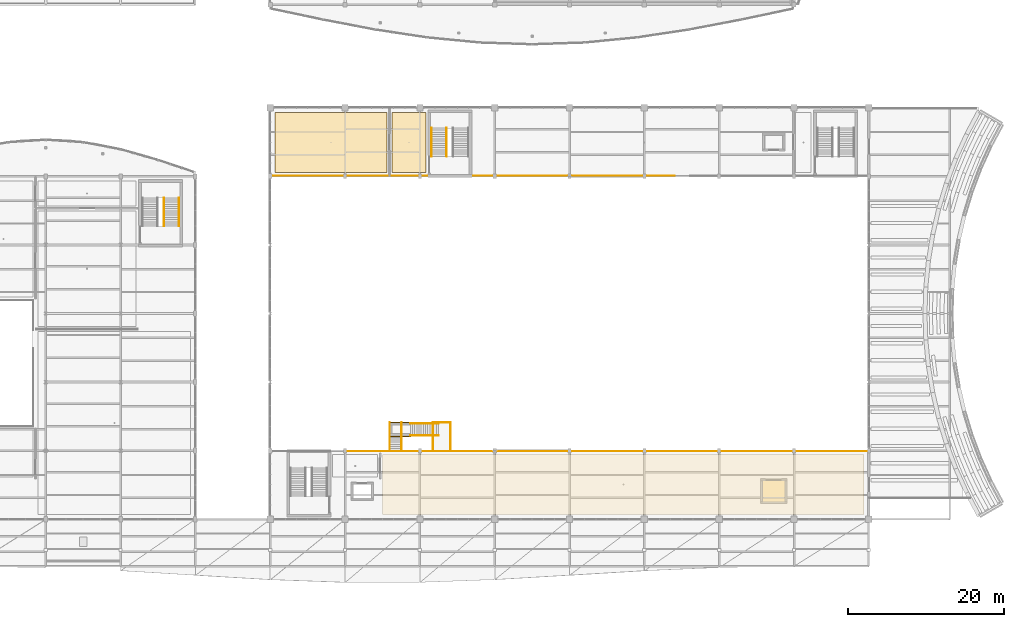
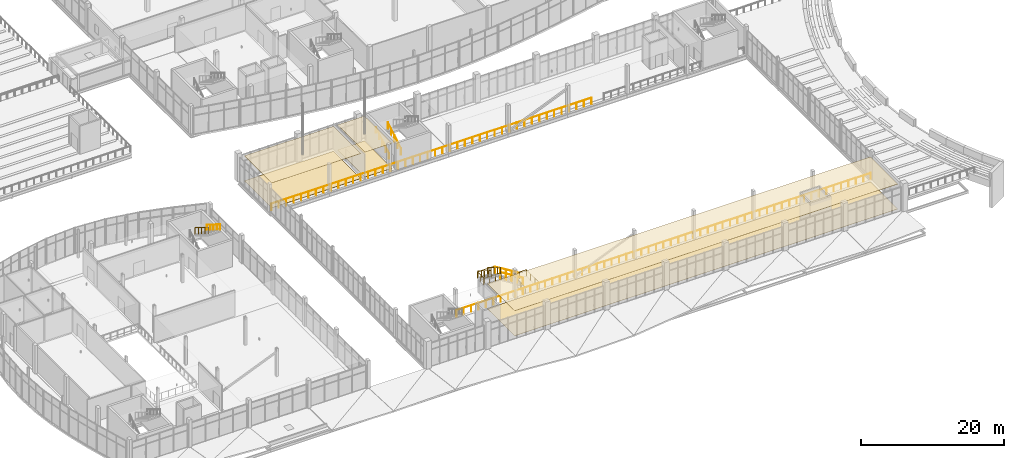
# One storey, part 152 of 157: 12 railings, 6 coverings, 3 elements without a shape of their own.
"""IFC4 building model written with IfcOpenShell, lengths in metres."""

from ifc_helpers import new_model, si_unit, direction, frame, origin, origin_2d, place, context, subcontext, project, spatial, polyline, circle, outline, extrude, material, layer, layer_set, type_object, element, aggregate, save


model = new_model("IFC4")

# Units and contexts
model_context = context("Model", 3, precision=1e-05, world=origin(), true_north=direction((0.0, 1.0)))
body_context = subcontext(model_context, "Body", "Model", "MODEL_VIEW")
ifc_project = project(units=[si_unit("LENGTHUNIT", "METRE"), si_unit("AREAUNIT", "SQUARE_METRE"), si_unit("VOLUMEUNIT", "CUBIC_METRE"), si_unit("PLANEANGLEUNIT", "RADIAN"), si_unit("MASSUNIT", "GRAM", prefix="KILO")], contexts=[model_context])

# Site, building, storey
site_placement = place(None, origin())
site = spatial("IfcSite", under=ifc_project, at=site_placement, CompositionType="ELEMENT")
building_placement = place(site_placement, origin())
building = spatial("IfcBuilding", under=site, at=building_placement, Name="Chalmorin Arch Market", CompositionType="ELEMENT")
storey_placement = place(building_placement, frame((0.0, 0.0, 4.800048828125)))
storey = spatial("IfcBuildingStorey", under=building, at=storey_placement, Name="L01", CompositionType="ELEMENT", Elevation=4.800048828125)

# Coverings
ifc_material_1 = material(Name="Mineral Fibre Acoustic Tile")
ifc_layer_1 = layer(ifc_material_1, 0.044921875)
ifc_layer_set_1 = layer_set([ifc_layer_1], Name="Mineral Fibre Acoustic Tile")
covering_type_1 = type_object("IfcCoveringType", Name="AcousticBaffleCeiling-45", PredefinedType="CEILING", material=ifc_layer_set_1)
covering_1_placement = place(storey_placement, frame((0.0, 0.0, 4.23486328125)))
element("IfcCovering", 1, at=covering_1_placement, inside=storey, type_object=covering_type_1, Name="CLG-01-143", PredefinedType="CEILING", context=body_context, shape_type="SweptSolid", body=[
    extrude(outline(polyline([(62.419921875, 6.6201171875), (124.179931640625, 6.6201171875), (124.179931640625, 14.280029296875), (62.419921875, 14.280029296875), (62.419921875, 6.6201171875)])), origin(), (0.0, 0.0, 1.0), 0.045166015625),
])
covering_2_placement = place(storey_placement, frame((0.0, 0.0, 4.23486328125)))
element("IfcCovering", 2, at=covering_2_placement, inside=storey, type_object=covering_type_1, Name="CLG-01-145", PredefinedType="CEILING", context=body_context, shape_type="SweptSolid", body=[
    extrude(outline(polyline([(48.6201171875, 50.52001953125), (62.97998046875, 50.52001953125), (62.97998046875, 58.179931640625), (48.6201171875, 58.179931640625), (48.6201171875, 50.52001953125)])), origin(), (0.0, 0.0, 1.0), 0.045166015625),
])
covering_3_placement = place(storey_placement, frame((0.0, 0.0, 4.23486328125)))
element("IfcCovering", 3, at=covering_3_placement, inside=storey, type_object=covering_type_1, Name="CLG-01-147", PredefinedType="CEILING", context=body_context, shape_type="SweptSolid", body=[
    extrude(outline(polyline([(63.6201171875, 50.52001953125), (67.97998046875, 50.52001953125), (67.97998046875, 58.179931640625), (63.6201171875, 58.179931640625), (63.6201171875, 50.52001953125)])), origin(), (0.0, 0.0, 1.0), 0.045166015625),
])

# Railings
ifc_material_2 = material(Name="Laminated Acoustic Glass", Category="glass")
ifc_layer_2 = layer(ifc_material_2, 0.070068359375)
ifc_layer_set_2 = layer_set([ifc_layer_2], Name="Laminated Acoustic Glass")
railing_type_1 = type_object("IfcRailingType", Name="GlassBalustradeRailing-1150", PredefinedType="BALUSTRADE", material=ifc_layer_set_2)
railing_1_placement = place(storey_placement, frame((57.699951171875, 14.719970703125, 0.0)))
element("IfcRailing", 4, at=railing_1_placement, inside=storey, type_object=railing_type_1, Name="GR-002", PredefinedType="BALUSTRADE", context=body_context, shape_type="SweptSolid", body=[
    extrude(circle(Radius=0.02392578125, at=origin_2d()), frame((0.0, 0.0, 1.1259765625), z_axis=(1.0, 0.0, 0.0), x_axis=(0.0, 1.0, 0.0)), (0.0, 0.0, 1.0), 66.800048828125),
    extrude(circle(Radius=0.02099609375, at=origin_2d()), origin(), (0.0, 0.0, 1.0), 1.101806640625),
    extrude(circle(Radius=0.02099609375, at=origin_2d()), frame((1.19287109375, 0.0, 0.0)), (0.0, 0.0, 1.0), 1.101806640625),
    extrude(circle(Radius=0.02099609375, at=origin_2d()), frame((2.3857421875, 0.0, 0.0)), (0.0, 0.0, 1.0), 1.101806640625),
    extrude(circle(Radius=0.02099609375, at=origin_2d()), frame((3.57861328125, 0.0, 0.0)), (0.0, 0.0, 1.0), 1.101806640625),
    extrude(circle(Radius=0.02099609375, at=origin_2d()), frame((4.771484375, 0.0, 0.0)), (0.0, 0.0, 1.0), 1.101806640625),
    extrude(circle(Radius=0.02099609375, at=origin_2d()), frame((5.96435546875, 0.0, 0.0)), (0.0, 0.0, 1.0), 1.101806640625),
    extrude(circle(Radius=0.02099609375, at=origin_2d()), frame((7.1572265625, 0.0, 0.0)), (0.0, 0.0, 1.0), 1.101806640625),
    extrude(circle(Radius=0.02099609375, at=origin_2d()), frame((8.35009765625, 0.0, 0.0)), (0.0, 0.0, 1.0), 1.101806640625),
    extrude(circle(Radius=0.02099609375, at=origin_2d()), frame((9.54296875, 0.0, 0.0)), (0.0, 0.0, 1.0), 1.101806640625),
    extrude(circle(Radius=0.02099609375, at=origin_2d()), frame((10.73583984375, 0.0, 0.0)), (0.0, 0.0, 1.0), 1.101806640625),
    extrude(circle(Radius=0.02099609375, at=origin_2d()), frame((11.928466796875, 0.0, 0.0)), (0.0, 0.0, 1.0), 1.101806640625),
    extrude(circle(Radius=0.02099609375, at=origin_2d()), frame((13.121337890625, 0.0, 0.0)), (0.0, 0.0, 1.0), 1.101806640625),
    extrude(circle(Radius=0.02099609375, at=origin_2d()), frame((14.314208984375, 0.0, 0.0)), (0.0, 0.0, 1.0), 1.101806640625),
    extrude(circle(Radius=0.02099609375, at=origin_2d()), frame((15.507080078125, 0.0, 0.0)), (0.0, 0.0, 1.0), 1.101806640625),
    extrude(circle(Radius=0.02099609375, at=origin_2d()), frame((16.699951171875, 0.0, 0.0)), (0.0, 0.0, 1.0), 1.101806640625),
    extrude(circle(Radius=0.02099609375, at=origin_2d()), frame((17.892822265625, 0.0, 0.0)), (0.0, 0.0, 1.0), 1.101806640625),
    extrude(circle(Radius=0.02099609375, at=origin_2d()), frame((19.085693359375, 0.0, 0.0)), (0.0, 0.0, 1.0), 1.101806640625),
    extrude(circle(Radius=0.02099609375, at=origin_2d()), frame((20.278564453125, 0.0, 0.0)), (0.0, 0.0, 1.0), 1.101806640625),
    extrude(circle(Radius=0.02099609375, at=origin_2d()), frame((21.471435546875, 0.0, 0.0)), (0.0, 0.0, 1.0), 1.101806640625),
    extrude(circle(Radius=0.02099609375, at=origin_2d()), frame((22.664306640625, 0.0, 0.0)), (0.0, 0.0, 1.0), 1.101806640625),
    extrude(circle(Radius=0.02099609375, at=origin_2d()), frame((23.857177734375, 0.0, 0.0)), (0.0, 0.0, 1.0), 1.101806640625),
    extrude(circle(Radius=0.02099609375, at=origin_2d()), frame((25.050048828125, 0.0, 0.0)), (0.0, 0.0, 1.0), 1.101806640625),
    extrude(circle(Radius=0.02099609375, at=origin_2d()), frame((26.242919921875, 0.0, 0.0)), (0.0, 0.0, 1.0), 1.101806640625),
    extrude(circle(Radius=0.02099609375, at=origin_2d()), frame((27.435791015625, 0.0, 0.0)), (0.0, 0.0, 1.0), 1.101806640625),
    extrude(circle(Radius=0.02099609375, at=origin_2d()), frame((28.628662109375, 0.0, 0.0)), (0.0, 0.0, 1.0), 1.101806640625),
    extrude(circle(Radius=0.02099609375, at=origin_2d()), frame((29.821533203125, 0.0, 0.0)), (0.0, 0.0, 1.0), 1.101806640625),
    extrude(circle(Radius=0.02099609375, at=origin_2d()), frame((31.014404296875, 0.0, 0.0)), (0.0, 0.0, 1.0), 1.101806640625),
    extrude(circle(Radius=0.02099609375, at=origin_2d()), frame((32.207275390625, 0.0, 0.0)), (0.0, 0.0, 1.0), 1.101806640625),
    extrude(circle(Radius=0.02099609375, at=origin_2d()), frame((33.39990234375, 0.0, 0.0)), (0.0, 0.0, 1.0), 1.101806640625),
    extrude(circle(Radius=0.02099609375, at=origin_2d()), frame((34.5927734375, 0.0, 0.0)), (0.0, 0.0, 1.0), 1.101806640625),
    extrude(circle(Radius=0.02099609375, at=origin_2d()), frame((35.78564453125, 0.0, 0.0)), (0.0, 0.0, 1.0), 1.101806640625),
    extrude(circle(Radius=0.02099609375, at=origin_2d()), frame((36.978515625, 0.0, 0.0)), (0.0, 0.0, 1.0), 1.101806640625),
    extrude(circle(Radius=0.02099609375, at=origin_2d()), frame((38.17138671875, 0.0, 0.0)), (0.0, 0.0, 1.0), 1.101806640625),
    extrude(circle(Radius=0.02099609375, at=origin_2d()), frame((39.3642578125, 0.0, 0.0)), (0.0, 0.0, 1.0), 1.101806640625),
    extrude(circle(Radius=0.02099609375, at=origin_2d()), frame((40.55712890625, 0.0, 0.0)), (0.0, 0.0, 1.0), 1.101806640625),
    extrude(circle(Radius=0.02099609375, at=origin_2d()), frame((41.75, 0.0, 0.0)), (0.0, 0.0, 1.0), 1.101806640625),
    extrude(circle(Radius=0.02099609375, at=origin_2d()), frame((42.94287109375, 0.0, 0.0)), (0.0, 0.0, 1.0), 1.101806640625),
    extrude(circle(Radius=0.02099609375, at=origin_2d()), frame((44.1357421875, 0.0, 0.0)), (0.0, 0.0, 1.0), 1.101806640625),
    extrude(circle(Radius=0.02099609375, at=origin_2d()), frame((45.32861328125, 0.0, 0.0)), (0.0, 0.0, 1.0), 1.101806640625),
    extrude(circle(Radius=0.02099609375, at=origin_2d()), frame((46.521484375, 0.0, 0.0)), (0.0, 0.0, 1.0), 1.101806640625),
    extrude(circle(Radius=0.02099609375, at=origin_2d()), frame((47.71435546875, 0.0, 0.0)), (0.0, 0.0, 1.0), 1.101806640625),
    extrude(circle(Radius=0.02099609375, at=origin_2d()), frame((48.9072265625, 0.0, 0.0)), (0.0, 0.0, 1.0), 1.101806640625),
    extrude(circle(Radius=0.02099609375, at=origin_2d()), frame((50.10009765625, 0.0, 0.0)), (0.0, 0.0, 1.0), 1.101806640625),
    extrude(circle(Radius=0.02099609375, at=origin_2d()), frame((51.29296875, 0.0, 0.0)), (0.0, 0.0, 1.0), 1.101806640625),
    extrude(circle(Radius=0.02099609375, at=origin_2d()), frame((52.48583984375, 0.0, 0.0)), (0.0, 0.0, 1.0), 1.101806640625),
    extrude(circle(Radius=0.02099609375, at=origin_2d()), frame((53.6787109375, 0.0, 0.0)), (0.0, 0.0, 1.0), 1.101806640625),
    extrude(circle(Radius=0.02099609375, at=origin_2d()), frame((54.87158203125, 0.0, 0.0)), (0.0, 0.0, 1.0), 1.101806640625),
    extrude(circle(Radius=0.02099609375, at=origin_2d()), frame((56.064208984375, 0.0, 0.0)), (0.0, 0.0, 1.0), 1.101806640625),
    extrude(circle(Radius=0.02099609375, at=origin_2d()), frame((57.257080078125, 0.0, 0.0)), (0.0, 0.0, 1.0), 1.101806640625),
    extrude(circle(Radius=0.02099609375, at=origin_2d()), frame((58.449951171875, 0.0, 0.0)), (0.0, 0.0, 1.0), 1.101806640625),
    extrude(circle(Radius=0.02099609375, at=origin_2d()), frame((59.642822265625, 0.0, 0.0)), (0.0, 0.0, 1.0), 1.101806640625),
    extrude(circle(Radius=0.02099609375, at=origin_2d()), frame((60.835693359375, 0.0, 0.0)), (0.0, 0.0, 1.0), 1.101806640625),
    extrude(circle(Radius=0.02099609375, at=origin_2d()), frame((62.028564453125, 0.0, 0.0)), (0.0, 0.0, 1.0), 1.101806640625),
    extrude(circle(Radius=0.02099609375, at=origin_2d()), frame((63.221435546875, 0.0, 0.0)), (0.0, 0.0, 1.0), 1.101806640625),
    extrude(circle(Radius=0.02099609375, at=origin_2d()), frame((64.414306640625, 0.0, 0.0)), (0.0, 0.0, 1.0), 1.101806640625),
    extrude(circle(Radius=0.02099609375, at=origin_2d()), frame((65.607177734375, 0.0, 0.0)), (0.0, 0.0, 1.0), 1.101806640625),
    extrude(circle(Radius=0.02099609375, at=origin_2d()), frame((66.800048828125, 0.0, 0.0)), (0.0, 0.0, 1.0), 1.101806640625),
])
railing_2_placement = place(storey_placement, frame((48.300048828125, 50.080078125, 0.0)))
element("IfcRailing", 5, at=railing_2_placement, inside=storey, type_object=railing_type_1, Name="GR-003", PredefinedType="BALUSTRADE", context=body_context, shape_type="SweptSolid", body=[
    extrude(circle(Radius=0.02392578125, at=origin_2d()), frame((0.0, 0.0, 1.1259765625), z_axis=(1.0, 0.0, 0.0), x_axis=(0.0, 1.0, 0.0)), (0.0, 0.0, 1.0), 51.599853515625),
    extrude(circle(Radius=0.02099609375, at=origin_2d()), origin(), (0.0, 0.0, 1.0), 1.101806640625),
    extrude(circle(Radius=0.02099609375, at=origin_2d()), frame((1.199951171875, 0.0, 0.0)), (0.0, 0.0, 1.0), 1.101806640625),
    extrude(circle(Radius=0.02099609375, at=origin_2d()), frame((2.39990234375, 0.0, 0.0)), (0.0, 0.0, 1.0), 1.101806640625),
    extrude(circle(Radius=0.02099609375, at=origin_2d()), frame((3.60009765625, 0.0, 0.0)), (0.0, 0.0, 1.0), 1.101806640625),
    extrude(circle(Radius=0.02099609375, at=origin_2d()), frame((4.800048828125, 0.0, 0.0)), (0.0, 0.0, 1.0), 1.101806640625),
    extrude(circle(Radius=0.02099609375, at=origin_2d()), frame((6.0, 0.0, 0.0)), (0.0, 0.0, 1.0), 1.101806640625),
    extrude(circle(Radius=0.02099609375, at=origin_2d()), frame((7.199951171875, 0.0, 0.0)), (0.0, 0.0, 1.0), 1.101806640625),
    extrude(circle(Radius=0.02099609375, at=origin_2d()), frame((8.39990234375, 0.0, 0.0)), (0.0, 0.0, 1.0), 1.101806640625),
    extrude(circle(Radius=0.02099609375, at=origin_2d()), frame((9.599853515625, 0.0, 0.0)), (0.0, 0.0, 1.0), 1.101806640625),
    extrude(circle(Radius=0.02099609375, at=origin_2d()), frame((10.800048828125, 0.0, 0.0)), (0.0, 0.0, 1.0), 1.101806640625),
    extrude(circle(Radius=0.02099609375, at=origin_2d()), frame((12.0, 0.0, 0.0)), (0.0, 0.0, 1.0), 1.101806640625),
    extrude(circle(Radius=0.02099609375, at=origin_2d()), frame((13.199951171875, 0.0, 0.0)), (0.0, 0.0, 1.0), 1.101806640625),
    extrude(circle(Radius=0.02099609375, at=origin_2d()), frame((14.39990234375, 0.0, 0.0)), (0.0, 0.0, 1.0), 1.101806640625),
    extrude(circle(Radius=0.02099609375, at=origin_2d()), frame((15.599853515625, 0.0, 0.0)), (0.0, 0.0, 1.0), 1.101806640625),
    extrude(circle(Radius=0.02099609375, at=origin_2d()), frame((16.800048828125, 0.0, 0.0)), (0.0, 0.0, 1.0), 1.101806640625),
    extrude(circle(Radius=0.02099609375, at=origin_2d()), frame((18.0, 0.0, 0.0)), (0.0, 0.0, 1.0), 1.101806640625),
    extrude(circle(Radius=0.02099609375, at=origin_2d()), frame((19.199951171875, 0.0, 0.0)), (0.0, 0.0, 1.0), 1.101806640625),
    extrude(circle(Radius=0.02099609375, at=origin_2d()), frame((20.39990234375, 0.0, 0.0)), (0.0, 0.0, 1.0), 1.101806640625),
    extrude(circle(Radius=0.02099609375, at=origin_2d()), frame((21.599853515625, 0.0, 0.0)), (0.0, 0.0, 1.0), 1.101806640625),
    extrude(circle(Radius=0.02099609375, at=origin_2d()), frame((22.800048828125, 0.0, 0.0)), (0.0, 0.0, 1.0), 1.101806640625),
    extrude(circle(Radius=0.02099609375, at=origin_2d()), frame((24.0, 0.0, 0.0)), (0.0, 0.0, 1.0), 1.101806640625),
    extrude(circle(Radius=0.02099609375, at=origin_2d()), frame((25.199951171875, 0.0, 0.0)), (0.0, 0.0, 1.0), 1.101806640625),
    extrude(circle(Radius=0.02099609375, at=origin_2d()), frame((26.39990234375, 0.0, 0.0)), (0.0, 0.0, 1.0), 1.101806640625),
    extrude(circle(Radius=0.02099609375, at=origin_2d()), frame((27.599853515625, 0.0, 0.0)), (0.0, 0.0, 1.0), 1.101806640625),
    extrude(circle(Radius=0.02099609375, at=origin_2d()), frame((28.7998046875, 0.0, 0.0)), (0.0, 0.0, 1.0), 1.101806640625),
    extrude(circle(Radius=0.02099609375, at=origin_2d()), frame((30.0, 0.0, 0.0)), (0.0, 0.0, 1.0), 1.101806640625),
    extrude(circle(Radius=0.02099609375, at=origin_2d()), frame((31.199951171875, 0.0, 0.0)), (0.0, 0.0, 1.0), 1.101806640625),
    extrude(circle(Radius=0.02099609375, at=origin_2d()), frame((32.39990234375, 0.0, 0.0)), (0.0, 0.0, 1.0), 1.101806640625),
    extrude(circle(Radius=0.02099609375, at=origin_2d()), frame((33.599853515625, 0.0, 0.0)), (0.0, 0.0, 1.0), 1.101806640625),
    extrude(circle(Radius=0.02099609375, at=origin_2d()), frame((34.7998046875, 0.0, 0.0)), (0.0, 0.0, 1.0), 1.101806640625),
    extrude(circle(Radius=0.02099609375, at=origin_2d()), frame((36.0, 0.0, 0.0)), (0.0, 0.0, 1.0), 1.101806640625),
    extrude(circle(Radius=0.02099609375, at=origin_2d()), frame((37.199951171875, 0.0, 0.0)), (0.0, 0.0, 1.0), 1.101806640625),
    extrude(circle(Radius=0.02099609375, at=origin_2d()), frame((38.39990234375, 0.0, 0.0)), (0.0, 0.0, 1.0), 1.101806640625),
    extrude(circle(Radius=0.02099609375, at=origin_2d()), frame((39.599853515625, 0.0, 0.0)), (0.0, 0.0, 1.0), 1.101806640625),
    extrude(circle(Radius=0.02099609375, at=origin_2d()), frame((40.7998046875, 0.0, 0.0)), (0.0, 0.0, 1.0), 1.101806640625),
    extrude(circle(Radius=0.02099609375, at=origin_2d()), frame((42.0, 0.0, 0.0)), (0.0, 0.0, 1.0), 1.101806640625),
    extrude(circle(Radius=0.02099609375, at=origin_2d()), frame((43.199951171875, 0.0, 0.0)), (0.0, 0.0, 1.0), 1.101806640625),
    extrude(circle(Radius=0.02099609375, at=origin_2d()), frame((44.39990234375, 0.0, 0.0)), (0.0, 0.0, 1.0), 1.101806640625),
    extrude(circle(Radius=0.02099609375, at=origin_2d()), frame((45.599853515625, 0.0, 0.0)), (0.0, 0.0, 1.0), 1.101806640625),
    extrude(circle(Radius=0.02099609375, at=origin_2d()), frame((46.7998046875, 0.0, 0.0)), (0.0, 0.0, 1.0), 1.101806640625),
    extrude(circle(Radius=0.02099609375, at=origin_2d()), frame((47.999755859375, 0.0, 0.0)), (0.0, 0.0, 1.0), 1.101806640625),
    extrude(circle(Radius=0.02099609375, at=origin_2d()), frame((49.199951171875, 0.0, 0.0)), (0.0, 0.0, 1.0), 1.101806640625),
    extrude(circle(Radius=0.02099609375, at=origin_2d()), frame((50.39990234375, 0.0, 0.0)), (0.0, 0.0, 1.0), 1.101806640625),
    extrude(circle(Radius=0.02099609375, at=origin_2d()), frame((51.599853515625, 0.0, 0.0)), (0.0, 0.0, 1.0), 1.101806640625),
])

# Stair, railing
ifc_material_3 = material(Name="Concrete C40/50", Category="concrete")
stair_type_1 = type_object("IfcStairType", Name="DoglegExitStair-28R-SC2", PredefinedType="HALF_TURN_STAIR", material=ifc_material_3)
stair_1_placement = place(storey_placement, origin())
stair_1 = element("IfcStair", 6, at=stair_1_placement, inside=storey, type_object=stair_type_1, Name="ST-04", PredefinedType="HALF_TURN_STAIR")
ifc_material_4 = material(Name="Stainless Steel 316", Category="steel")
ifc_layer_3 = layer(ifc_material_4, 0.048095703125)
ifc_layer_set_3 = layer_set([ifc_layer_3], Name="Stainless Steel 316")
railing_type_2 = type_object("IfcRailingType", Name="StairTubeHandrail-920", PredefinedType="HANDRAIL", material=ifc_layer_set_3)
railing_3_placement = place(storey_placement, frame((36.300048828125, 47.25, 2.5712890625)))
railing_3 = element("IfcRailing", 7, at=railing_3_placement, type_object=railing_type_2, Name="HR-01-018", PredefinedType="HANDRAIL", context=body_context, shape_type="SweptSolid", body=[
    extrude(circle(Radius=0.02392578125, at=origin_2d()), frame((0.0, 0.0, 0.89599609375), z_axis=(0.0, -0.852824790078, 0.522197163366), x_axis=(1.0, 0.0, 0.0)), (0.0, 0.0, 1.0), 4.26806640625),
    extrude(circle(Radius=0.02099609375, at=origin_2d()), origin(), (0.0, 0.0, 1.0), 0.871826171875),
    extrude(circle(Radius=0.02099609375, at=origin_2d()), frame((0.0, -0.909912109375, 0.55712890625)), (0.0, 0.0, 1.0), 0.871826171875),
    extrude(circle(Radius=0.02099609375, at=origin_2d()), frame((0.0, -1.81982421875, 1.1142578125)), (0.0, 0.0, 1.0), 0.871826171875),
    extrude(circle(Radius=0.02099609375, at=origin_2d()), frame((0.0, -2.72998046875, 1.671630859375)), (0.0, 0.0, 1.0), 0.871826171875),
    extrude(circle(Radius=0.02099609375, at=origin_2d()), frame((0.0, -3.639892578125, 2.228759765625)), (0.0, 0.0, 1.0), 0.871826171875),
])

stair_type_2 = type_object("IfcStairType", Name="DoglegExitStair-28R-SC8", PredefinedType="HALF_TURN_STAIR", material=ifc_material_3)
stair_2_placement = place(storey_placement, origin())
stair_2 = element("IfcStair", 8, at=stair_2_placement, inside=storey, type_object=stair_type_2, Name="ST-25", PredefinedType="HALF_TURN_STAIR")
railing_4_placement = place(storey_placement, frame((68.699951171875, 52.56005859375, 0.17138671875)))
railing_4 = element("IfcRailing", 9, at=railing_4_placement, type_object=railing_type_2, Name="HR-01-105", PredefinedType="HANDRAIL", context=body_context, shape_type="SweptSolid", body=[
    extrude(circle(Radius=0.02392578125, at=origin_2d()), frame((0.0, 0.0, 0.89599609375), z_axis=(0.0, 0.852850264322, 0.5221555579), x_axis=(-1.0, 0.0, 0.0)), (0.0, 0.0, 1.0), 4.267822265625),
    extrude(circle(Radius=0.02099609375, at=origin_2d()), origin(), (0.0, 0.0, 1.0), 0.871826171875),
    extrude(circle(Radius=0.02099609375, at=origin_2d()), frame((0.0, 0.909912109375, 0.55712890625)), (0.0, 0.0, 1.0), 0.871826171875),
    extrude(circle(Radius=0.02099609375, at=origin_2d()), frame((0.0, 1.81982421875, 1.1142578125)), (0.0, 0.0, 1.0), 0.871826171875),
    extrude(circle(Radius=0.02099609375, at=origin_2d()), frame((0.0, 2.72998046875, 1.67138671875)), (0.0, 0.0, 1.0), 0.871826171875),
    extrude(circle(Radius=0.02099609375, at=origin_2d()), frame((0.0, 3.639892578125, 2.228515625)), (0.0, 0.0, 1.0), 0.871826171875),
])

# Railing
ifc_material_5 = material(Name="Galvanised Steel", Category="steel")
ifc_layer_4 = layer(ifc_material_5, 0.054931640625)
ifc_layer_set_4 = layer_set([ifc_layer_4], Name="Galvanised Steel")
railing_type_3 = type_object("IfcRailingType", Name="StairWellGuardrail-1100", PredefinedType="GUARDRAIL", material=ifc_layer_set_4)
railing_5_placement = place(storey_placement, frame((34.3701171875, 47.25, 2.5712890625)))
railing_5 = element("IfcRailing", 10, at=railing_5_placement, type_object=railing_type_3, Name="SG-01-017", PredefinedType="GUARDRAIL", context=body_context, shape_type="SweptSolid", body=[
    extrude(circle(Radius=0.02392578125, at=origin_2d()), frame((0.0, 0.0, 1.076171875), z_axis=(0.0, -0.852824790078, 0.522197163366), x_axis=(1.0, 0.0, 0.0)), (0.0, 0.0, 1.0), 4.26806640625),
    extrude(circle(Radius=0.02099609375, at=origin_2d()), origin(), (0.0, 0.0, 1.0), 1.052001953125),
    extrude(circle(Radius=0.02099609375, at=origin_2d()), frame((0.0, -0.909912109375, 0.55712890625)), (0.0, 0.0, 1.0), 1.052001953125),
    extrude(circle(Radius=0.02099609375, at=origin_2d()), frame((0.0, -1.81982421875, 1.1142578125)), (0.0, 0.0, 1.0), 1.052001953125),
    extrude(circle(Radius=0.02099609375, at=origin_2d()), frame((0.0, -2.72998046875, 1.671630859375)), (0.0, 0.0, 1.0), 1.052001953125),
    extrude(circle(Radius=0.02099609375, at=origin_2d()), frame((0.0, -3.639892578125, 2.228759765625)), (0.0, 0.0, 1.0), 1.052001953125),
])

aggregate(stair_1, [railing_5, railing_3])

railing_6_placement = place(storey_placement, frame((70.6298828125, 52.56005859375, 0.17138671875)))
railing_6 = element("IfcRailing", 11, at=railing_6_placement, type_object=railing_type_3, Name="SG-01-106", PredefinedType="GUARDRAIL", context=body_context, shape_type="SweptSolid", body=[
    extrude(circle(Radius=0.02392578125, at=origin_2d()), frame((0.0, 0.0, 1.076171875), z_axis=(0.0, 0.852850264322, 0.5221555579), x_axis=(-1.0, 0.0, 0.0)), (0.0, 0.0, 1.0), 4.267822265625),
    extrude(circle(Radius=0.02099609375, at=origin_2d()), origin(), (0.0, 0.0, 1.0), 1.052001953125),
    extrude(circle(Radius=0.02099609375, at=origin_2d()), frame((0.0, 0.909912109375, 0.55712890625)), (0.0, 0.0, 1.0), 1.052001953125),
    extrude(circle(Radius=0.02099609375, at=origin_2d()), frame((0.0, 1.81982421875, 1.1142578125)), (0.0, 0.0, 1.0), 1.052001953125),
    extrude(circle(Radius=0.02099609375, at=origin_2d()), frame((0.0, 2.72998046875, 1.67138671875)), (0.0, 0.0, 1.0), 1.052001953125),
    extrude(circle(Radius=0.02099609375, at=origin_2d()), frame((0.0, 3.639892578125, 2.228515625)), (0.0, 0.0, 1.0), 1.052001953125),
])

aggregate(stair_2, [railing_4, railing_6])

railing_7_placement = place(storey_placement, frame((71.1201171875, 14.85009765625, 0.0)))
element("IfcRailing", 12, at=railing_7_placement, inside=storey, type_object=railing_type_3, Name="SG-01-119", PredefinedType="GUARDRAIL", context=body_context, shape_type="SweptSolid", body=[
    extrude(circle(Radius=0.02392578125, at=origin_2d()), frame((0.0, 0.0, 1.076171875), z_axis=(0.0, 1.0, 0.0), x_axis=(-1.0, 0.0, 0.0)), (0.0, 0.0, 1.0), 3.56982421875),
    extrude(circle(Radius=0.02392578125, at=origin_2d()), frame((0.0, 3.56982421875, 1.076171875), z_axis=(-1.0, 0.0, 0.0), x_axis=(0.0, -1.0, 0.0)), (0.0, 0.0, 1.0), 2.240234375),
    extrude(circle(Radius=0.02392578125, at=origin_2d()), frame((-2.240234375, 3.56982421875, 1.076171875), z_axis=(0.0, -1.0, 0.0), x_axis=(1.0, 0.0, 0.0)), (0.0, 0.0, 1.0), 3.56982421875),
    extrude(circle(Radius=0.02099609375, at=origin_2d()), origin(), (0.0, 0.0, 1.0), 1.052001953125),
    extrude(circle(Radius=0.02099609375, at=origin_2d()), frame((0.0, 1.18994140625, 0.0)), (0.0, 0.0, 1.0), 1.052001953125),
    extrude(circle(Radius=0.02099609375, at=origin_2d()), frame((0.0, 2.3798828125, 0.0)), (0.0, 0.0, 1.0), 1.052001953125),
    extrude(circle(Radius=0.02099609375, at=origin_2d()), frame((0.0, 3.56982421875, 0.0)), (0.0, 0.0, 1.0), 1.052001953125),
    extrude(circle(Radius=0.02099609375, at=origin_2d()), frame((-1.1201171875, 3.56982421875, 0.0)), (0.0, 0.0, 1.0), 1.052001953125),
    extrude(circle(Radius=0.02099609375, at=origin_2d()), frame((-2.240234375, 3.56982421875, 0.0)), (0.0, 0.0, 1.0), 1.052001953125),
    extrude(circle(Radius=0.02099609375, at=origin_2d()), frame((-2.240234375, 2.3798828125, 0.0)), (0.0, 0.0, 1.0), 1.052001953125),
    extrude(circle(Radius=0.02099609375, at=origin_2d()), frame((-2.240234375, 1.18994140625, 0.0)), (0.0, 0.0, 1.0), 1.052001953125),
    extrude(circle(Radius=0.02099609375, at=origin_2d()), frame((-2.240234375, 0.0, 0.0)), (0.0, 0.0, 1.0), 1.052001953125),
])

# Stair, railings
ifc_material_6 = material(Name="Steel A992 Grade 50", Category="steel")
stair_type_3 = type_object("IfcStairType", Name="GalleryFeatureStair-Steel", PredefinedType="QUARTER_TURN_STAIR", material=ifc_material_6)
stair_3_placement = place(storey_placement, origin())
stair_3 = element("IfcStair", 13, at=stair_3_placement, inside=storey, type_object=stair_type_3, Name="ST-28", PredefinedType="QUARTER_TURN_STAIR")
railing_8_placement = place(storey_placement, frame((66.02001953125, 16.610107421875, 2.39990234375)))
railing_8 = element("IfcRailing", 14, at=railing_8_placement, type_object=railing_type_3, Name="SG-01-120", PredefinedType="GUARDRAIL", context=body_context, shape_type="SweptSolid", body=[
    extrude(circle(Radius=0.02392578125, at=origin_2d()), frame((0.0, 0.0, 1.076171875), z_axis=(-1.0, 0.0, 0.0), x_axis=(0.0, -1.0, 0.0)), (0.0, 0.0, 1.0), 2.760009765625),
    extrude(circle(Radius=0.02392578125, at=origin_2d()), frame((-2.760009765625, 0.0, 1.076171875), z_axis=(0.0, 1.0, 0.0), x_axis=(-1.0, 0.0, 0.0)), (0.0, 0.0, 1.0), 1.829833984375),
    extrude(circle(Radius=0.02392578125, at=origin_2d()), frame((-2.760009765625, 1.829833984375, 1.076171875), z_axis=(1.0, 0.0, 0.0), x_axis=(0.0, 1.0, 0.0)), (0.0, 0.0, 1.0), 2.760009765625),
    extrude(circle(Radius=0.02099609375, at=origin_2d()), origin(), (0.0, 0.0, 1.0), 1.052001953125),
    extrude(circle(Radius=0.02099609375, at=origin_2d()), frame((-0.919921875, 0.0, 0.0)), (0.0, 0.0, 1.0), 1.052001953125),
    extrude(circle(Radius=0.02099609375, at=origin_2d()), frame((-1.840087890625, 0.0, 0.0)), (0.0, 0.0, 1.0), 1.052001953125),
    extrude(circle(Radius=0.02099609375, at=origin_2d()), frame((-2.760009765625, 0.0, 0.0)), (0.0, 0.0, 1.0), 1.052001953125),
    extrude(circle(Radius=0.02099609375, at=origin_2d()), frame((-2.760009765625, 0.9150390625, 0.0)), (0.0, 0.0, 1.0), 1.052001953125),
    extrude(circle(Radius=0.02099609375, at=origin_2d()), frame((-2.760009765625, 1.829833984375, 0.0)), (0.0, 0.0, 1.0), 1.052001953125),
    extrude(circle(Radius=0.02099609375, at=origin_2d()), frame((-1.840087890625, 1.829833984375, 0.0)), (0.0, 0.0, 1.0), 1.052001953125),
    extrude(circle(Radius=0.02099609375, at=origin_2d()), frame((-0.919921875, 1.829833984375, 0.0)), (0.0, 0.0, 1.0), 1.052001953125),
    extrude(circle(Radius=0.02099609375, at=origin_2d()), frame((0.0, 1.829833984375, 0.0)), (0.0, 0.0, 1.0), 1.052001953125),
])
railing_9_placement = place(storey_placement, frame((69.60009765625, 18.284912109375, 0.17138671875)))
railing_9 = element("IfcRailing", 15, at=railing_9_placement, type_object=railing_type_3, Name="SG-01-121", PredefinedType="GUARDRAIL", context=body_context, shape_type="SweptSolid", body=[
    extrude(circle(Radius=0.02392578125, at=origin_2d()), frame((0.0, 0.0, 1.076171875), z_axis=(-0.852865859571, 0.0, 0.52213008492), x_axis=(0.0, -1.0, 0.0)), (0.0, 0.0, 1.0), 4.26806640625),
    extrude(circle(Radius=0.02099609375, at=origin_2d()), origin(), (0.0, 0.0, 1.0), 1.052001953125),
    extrude(circle(Radius=0.02099609375, at=origin_2d()), frame((-0.91015625, 0.0, 0.55712890625)), (0.0, 0.0, 1.0), 1.052001953125),
    extrude(circle(Radius=0.02099609375, at=origin_2d()), frame((-1.820068359375, 0.0, 1.1142578125)), (0.0, 0.0, 1.0), 1.052001953125),
    extrude(circle(Radius=0.02099609375, at=origin_2d()), frame((-2.72998046875, 0.0, 1.67138671875)), (0.0, 0.0, 1.0), 1.052001953125),
    extrude(circle(Radius=0.02099609375, at=origin_2d()), frame((-3.64013671875, 0.0, 2.228515625)), (0.0, 0.0, 1.0), 1.052001953125),
])
railing_10_placement = place(storey_placement, frame((69.60009765625, 16.7548828125, 0.17138671875)))
railing_10 = element("IfcRailing", 16, at=railing_10_placement, type_object=railing_type_3, Name="SG-01-122", PredefinedType="GUARDRAIL", context=body_context, shape_type="SweptSolid", body=[
    extrude(circle(Radius=0.02392578125, at=origin_2d()), frame((0.0, 0.0, 1.076171875), z_axis=(-0.852865859571, 0.0, 0.52213008492), x_axis=(0.0, -1.0, 0.0)), (0.0, 0.0, 1.0), 4.26806640625),
    extrude(circle(Radius=0.02099609375, at=origin_2d()), origin(), (0.0, 0.0, 1.0), 1.052001953125),
    extrude(circle(Radius=0.02099609375, at=origin_2d()), frame((-0.91015625, 0.0, 0.55712890625)), (0.0, 0.0, 1.0), 1.052001953125),
    extrude(circle(Radius=0.02099609375, at=origin_2d()), frame((-1.820068359375, 0.0, 1.1142578125)), (0.0, 0.0, 1.0), 1.052001953125),
    extrude(circle(Radius=0.02099609375, at=origin_2d()), frame((-2.72998046875, 0.0, 1.67138671875)), (0.0, 0.0, 1.0), 1.052001953125),
    extrude(circle(Radius=0.02099609375, at=origin_2d()), frame((-3.64013671875, 0.0, 2.228515625)), (0.0, 0.0, 1.0), 1.052001953125),
])
railing_11_placement = place(storey_placement, frame((63.3349609375, 18.409912109375, 2.5712890625)))
railing_11 = element("IfcRailing", 17, at=railing_11_placement, type_object=railing_type_3, Name="SG-01-123", PredefinedType="GUARDRAIL", context=body_context, shape_type="SweptSolid", body=[
    extrude(circle(Radius=0.02392578125, at=origin_2d()), frame((0.0, 0.0, 1.076171875), z_axis=(0.0, -0.852824790078, 0.522197163366), x_axis=(1.0, 0.0, 0.0)), (0.0, 0.0, 1.0), 4.26806640625),
    extrude(circle(Radius=0.02099609375, at=origin_2d()), origin(), (0.0, 0.0, 1.0), 1.052001953125),
    extrude(circle(Radius=0.02099609375, at=origin_2d()), frame((0.0, -0.909912109375, 0.55712890625)), (0.0, 0.0, 1.0), 1.052001953125),
    extrude(circle(Radius=0.02099609375, at=origin_2d()), frame((0.0, -1.81982421875, 1.1142578125)), (0.0, 0.0, 1.0), 1.052001953125),
    extrude(circle(Radius=0.02099609375, at=origin_2d()), frame((0.0, -2.72998046875, 1.671630859375)), (0.0, 0.0, 1.0), 1.052001953125),
    extrude(circle(Radius=0.02099609375, at=origin_2d()), frame((0.0, -3.639892578125, 2.228759765625)), (0.0, 0.0, 1.0), 1.052001953125),
])
railing_12_placement = place(storey_placement, frame((64.864990234375, 18.409912109375, 2.5712890625)))
railing_12 = element("IfcRailing", 18, at=railing_12_placement, type_object=railing_type_3, Name="SG-01-124", PredefinedType="GUARDRAIL", context=body_context, shape_type="SweptSolid", body=[
    extrude(circle(Radius=0.02392578125, at=origin_2d()), frame((0.0, 0.0, 1.076171875), z_axis=(0.0, -0.852824790078, 0.522197163366), x_axis=(1.0, 0.0, 0.0)), (0.0, 0.0, 1.0), 4.26806640625),
    extrude(circle(Radius=0.02099609375, at=origin_2d()), origin(), (0.0, 0.0, 1.0), 1.052001953125),
    extrude(circle(Radius=0.02099609375, at=origin_2d()), frame((0.0, -0.909912109375, 0.55712890625)), (0.0, 0.0, 1.0), 1.052001953125),
    extrude(circle(Radius=0.02099609375, at=origin_2d()), frame((0.0, -1.81982421875, 1.1142578125)), (0.0, 0.0, 1.0), 1.052001953125),
    extrude(circle(Radius=0.02099609375, at=origin_2d()), frame((0.0, -2.72998046875, 1.671630859375)), (0.0, 0.0, 1.0), 1.052001953125),
    extrude(circle(Radius=0.02099609375, at=origin_2d()), frame((0.0, -3.639892578125, 2.228759765625)), (0.0, 0.0, 1.0), 1.052001953125),
])
aggregate(stair_3, [railing_8, railing_9, railing_10, railing_11, railing_12])

# Coverings
ifc_material_7 = material(Name="Polished Terrazzo")
ifc_layer_5 = layer(ifc_material_7, 0.02490234375)
ifc_layer_set_5 = layer_set([ifc_layer_5], Name="Polished Terrazzo")
covering_type_2 = type_object("IfcCoveringType", Name="TerrazzoMarketFloorFinish-25", PredefinedType="FLOORING", material=ifc_layer_set_5)
covering_4_placement = place(storey_placement, origin())
element("IfcCovering", 19, at=covering_4_placement, inside=storey, type_object=covering_type_2, Name="FLR-01-142", PredefinedType="FLOORING", context=body_context, shape_type="SweptSolid", body=[
    extrude(outline(polyline([(62.419921875, 6.6201171875), (124.179931640625, 6.6201171875), (124.179931640625, 14.280029296875), (62.419921875, 14.280029296875), (62.419921875, 6.6201171875)])), origin(), (0.0, 0.0, 1.0), 0.02490234375),
])
covering_5_placement = place(storey_placement, origin())
element("IfcCovering", 20, at=covering_5_placement, inside=storey, type_object=covering_type_2, Name="FLR-01-144", PredefinedType="FLOORING", context=body_context, shape_type="SweptSolid", body=[
    extrude(outline(polyline([(48.6201171875, 50.52001953125), (62.97998046875, 50.52001953125), (62.97998046875, 58.179931640625), (48.6201171875, 58.179931640625), (48.6201171875, 50.52001953125)])), origin(), (0.0, 0.0, 1.0), 0.02490234375),
])
covering_6_placement = place(storey_placement, origin())
element("IfcCovering", 21, at=covering_6_placement, inside=storey, type_object=covering_type_2, Name="FLR-01-146", PredefinedType="FLOORING", context=body_context, shape_type="SweptSolid", body=[
    extrude(outline(polyline([(63.6201171875, 50.52001953125), (67.97998046875, 50.52001953125), (67.97998046875, 58.179931640625), (63.6201171875, 58.179931640625), (63.6201171875, 50.52001953125)])), origin(), (0.0, 0.0, 1.0), 0.02490234375),
])

save(model, "model.ifc")
